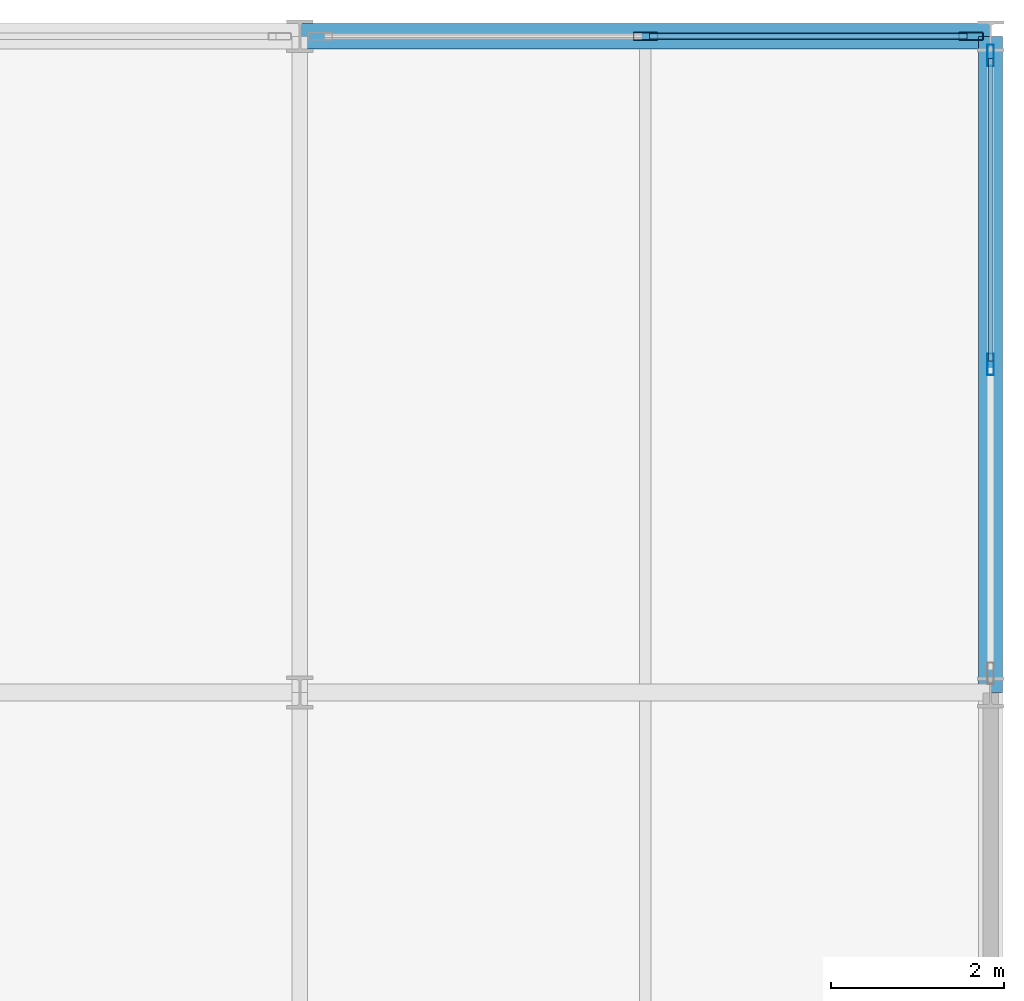
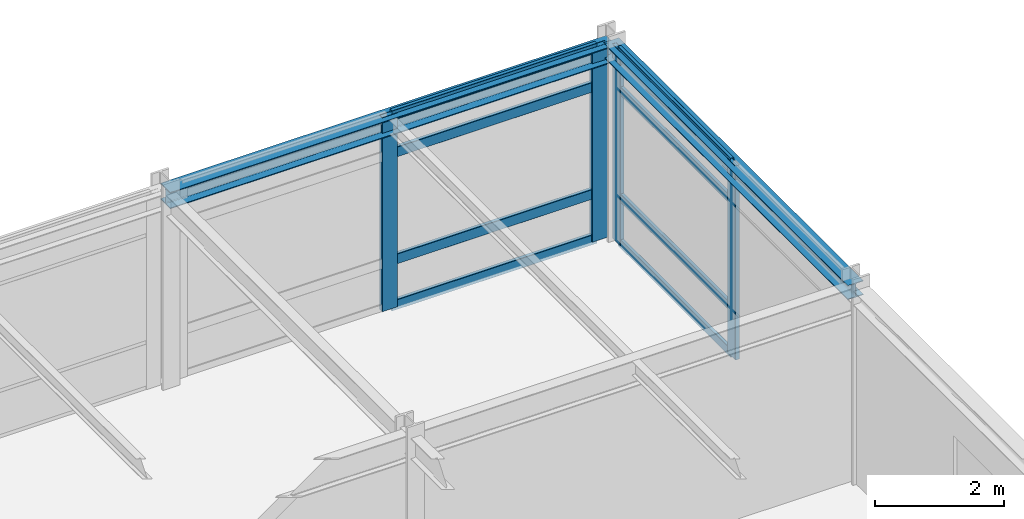
# One storey, part 11 of 16: 12 members, 2 beams, 2 elements without a shape of their own.
"""IFC4 building model written with IfcOpenShell, lengths in metres."""

from ifc_helpers import new_model, si_unit, direction, frame, origin, origin_2d, place, context, subcontext, project, spatial, hollow_rectangle, i_section, extrude, material, layer, layer_set, material_profile, profile_set, type_object, element, aggregate, save


model = new_model("IFC4")

# Units and contexts
model_context = context("Model", 3, precision=1e-05, world=origin(), true_north=direction((0.0, 1.0)))
body_context = subcontext(model_context, "Body", "Model", "MODEL_VIEW")
ifc_project = project(units=[si_unit("LENGTHUNIT", "METRE"), si_unit("AREAUNIT", "SQUARE_METRE"), si_unit("VOLUMEUNIT", "CUBIC_METRE"), si_unit("PLANEANGLEUNIT", "RADIAN"), si_unit("MASSUNIT", "GRAM", prefix="KILO")], contexts=[model_context])

# Site, building, storey
site_placement = place(None, origin())
site = spatial("IfcSite", under=ifc_project, at=site_placement, CompositionType="ELEMENT")
building_placement = place(site_placement, origin())
building = spatial("IfcBuilding", under=site, at=building_placement, Name="Shalkamar Park Central Library", CompositionType="ELEMENT")
storey_placement = place(building_placement, frame((0.0, 0.0, 43.800048828125)))
storey = spatial("IfcBuildingStorey", under=building, at=storey_placement, Name="L11", CompositionType="ELEMENT", Elevation=43.800048828125)

# Curtain wall, members
ifc_material_1 = material(Name="Thermally broken aluminium and triple low-e curtain wall", Category="aluminium")
ifc_layer_1 = layer(ifc_material_1, 0.25)
ifc_layer_set_1 = layer_set([ifc_layer_1], Name="UnitisedCurtainWall_82")
curtain_wall_type_1 = type_object("IfcCurtainWallType", Name="Unitised Curtain Wall 82", PredefinedType="USERDEFINED", material=ifc_layer_set_1)
curtain_wall_1_placement = place(storey_placement, origin())
curtain_wall_1 = element("IfcCurtainWall", 1, at=curtain_wall_1_placement, inside=storey, type_object=curtain_wall_type_1, Name="Unitised Curtain Wall CW-L11-134", ObjectType="UNITISED CURTAIN WALL", PredefinedType="USERDEFINED")
ifc_material_2 = material(Name="Aluminium 6060-T66", Category="aluminium")
ifc_material_profile_1 = material_profile(ifc_material_2, hollow_rectangle(XDim=0.074951171875, YDim=0.25, WallThickness=0.00390625, InnerFilletRadius=0.00390625, OuterFilletRadius=0.006103515625, at=origin_2d()), Name="ALU 75x250x4")
ifc_profile_set_1 = profile_set([ifc_material_profile_1], Name="Aluminium 6060-T66")
member_type_1 = type_object("IfcMemberType", Name="Curtain Wall Mullion ALU75x250", PredefinedType="MULLION", material=ifc_profile_set_1)
member_1_placement = place(storey_placement, frame((221.0, 281.800048828125, 0.0), z_axis=(0.0, 0.0, 1.0), x_axis=(-1.0, 0.0, 0.0)))
member_1 = element("IfcMember", 2, at=member_1_placement, type_object=member_type_1, Name="CW-82 mullion 2", PredefinedType="MULLION", context=body_context, shape_type="SweptSolid", body=[
    extrude(hollow_rectangle(XDim=0.074951171875, YDim=0.25, WallThickness=0.00390625, InnerFilletRadius=0.00390625, OuterFilletRadius=0.006103515625, at=origin_2d()), origin(), (0.0, 0.0, 1.0), 3.679931640625),
])
member_2_placement = place(storey_placement, frame((221.0, 285.37890625, 0.0), z_axis=(0.0, 0.0, 1.0), x_axis=(-1.0, 0.0, 0.0)))
member_2 = element("IfcMember", 3, at=member_2_placement, type_object=member_type_1, Name="CW-82 mullion 3", PredefinedType="MULLION", context=body_context, shape_type="SweptSolid", body=[
    extrude(hollow_rectangle(XDim=0.074951171875, YDim=0.25, WallThickness=0.00390625, InnerFilletRadius=0.00390625, OuterFilletRadius=0.006103515625, at=origin_2d()), origin(), (0.0, 0.0, 1.0), 3.679931640625),
])

ifc_layer_2 = layer(ifc_material_1, 0.280029296875)
ifc_layer_set_2 = layer_set([ifc_layer_2], Name="UnitisedCurtainWall_78")
curtain_wall_type_2 = type_object("IfcCurtainWallType", Name="Unitised Curtain Wall 78", PredefinedType="USERDEFINED", material=ifc_layer_set_2)
curtain_wall_2_placement = place(storey_placement, origin())
curtain_wall_2 = element("IfcCurtainWall", 4, at=curtain_wall_2_placement, inside=storey, type_object=curtain_wall_type_2, Name="Unitised Curtain Wall CW-L11-132", ObjectType="UNITISED CURTAIN WALL", PredefinedType="USERDEFINED")
ifc_material_profile_2 = material_profile(ifc_material_2, hollow_rectangle(XDim=0.090087890625, YDim=0.280029296875, WallThickness=0.0048828125, InnerFilletRadius=0.0048828125, OuterFilletRadius=0.007568359375, at=origin_2d()), Name="ALU 90x280x5")
ifc_profile_set_2 = profile_set([ifc_material_profile_2], Name="Aluminium 6060-T66")
member_type_2 = type_object("IfcMemberType", Name="Curtain Wall Mullion ALU90x280", PredefinedType="MULLION", material=ifc_profile_set_2)
member_3_placement = place(storey_placement, frame((217.00439453125, 285.60009765625, 0.0), z_axis=(0.0, 0.0, 1.0), x_axis=(0.0, 1.0, 0.0)))
member_3 = element("IfcMember", 5, at=member_3_placement, type_object=member_type_2, Name="CW-78 mullion 2", PredefinedType="MULLION", context=body_context, shape_type="SweptSolid", body=[
    extrude(hollow_rectangle(XDim=0.090087890625, YDim=0.280029296875, WallThickness=0.0048828125, InnerFilletRadius=0.0048828125, OuterFilletRadius=0.007568359375, at=origin_2d()), origin(), (0.0, 0.0, 1.0), 3.679931640625),
])
member_4_placement = place(storey_placement, frame((220.771484375, 285.60009765625, 0.0), z_axis=(0.0, 0.0, 1.0), x_axis=(0.0, 1.0, 0.0)))
member_4 = element("IfcMember", 6, at=member_4_placement, type_object=member_type_2, Name="CW-78 mullion 3", PredefinedType="MULLION", context=body_context, shape_type="SweptSolid", body=[
    extrude(hollow_rectangle(XDim=0.090087890625, YDim=0.280029296875, WallThickness=0.0048828125, InnerFilletRadius=0.0048828125, OuterFilletRadius=0.007568359375, at=origin_2d()), origin(), (0.0, 0.0, 1.0), 3.679931640625),
])

# Member
ifc_material_profile_3 = material_profile(ifc_material_2, hollow_rectangle(XDim=0.06005859375, YDim=0.159912109375, WallThickness=0.00390625, InnerFilletRadius=0.00390625, OuterFilletRadius=0.006103515625, at=origin_2d()), Name="ALU 60x160x4")
ifc_profile_set_3 = profile_set([ifc_material_profile_3], Name="Aluminium 6060-T66")
member_type_3 = type_object("IfcMemberType", Name="Curtain Wall Transom ALU60x160", PredefinedType="USERDEFINED", material=ifc_profile_set_3)
member_5_placement = place(storey_placement, frame((221.0, 281.83740234375, 0.030029296875), z_axis=(0.0, 1.0, 0.0), x_axis=(-1.0, 0.0, 0.0)))
member_5 = element("IfcMember", 7, at=member_5_placement, type_object=member_type_3, Name="CW-82 transom 2.1", ObjectType="TRANSOM", PredefinedType="USERDEFINED", context=body_context, shape_type="SweptSolid", body=[
    extrude(hollow_rectangle(XDim=0.06005859375, YDim=0.159912109375, WallThickness=0.00390625, InnerFilletRadius=0.00390625, OuterFilletRadius=0.006103515625, at=origin_2d()), origin(), (0.0, 0.0, 1.0), 3.504150390625),
])

member_6_placement = place(storey_placement, frame((221.0, 281.83740234375, 0.89990234375), z_axis=(0.0, 1.0, 0.0), x_axis=(-1.0, 0.0, 0.0)))
member_6 = element("IfcMember", 8, at=member_6_placement, type_object=member_type_3, Name="CW-82 transom 2.2", ObjectType="TRANSOM", PredefinedType="USERDEFINED", context=body_context, shape_type="SweptSolid", body=[
    extrude(hollow_rectangle(XDim=0.06005859375, YDim=0.159912109375, WallThickness=0.00390625, InnerFilletRadius=0.00390625, OuterFilletRadius=0.006103515625, at=origin_2d()), origin(), (0.0, 0.0, 1.0), 3.504150390625),
])

member_7_placement = place(storey_placement, frame((221.0, 281.83740234375, 2.929931640625), z_axis=(0.0, 1.0, 0.0), x_axis=(-1.0, 0.0, 0.0)))
member_7 = element("IfcMember", 9, at=member_7_placement, type_object=member_type_3, Name="CW-82 transom 2.3", ObjectType="TRANSOM", PredefinedType="USERDEFINED", context=body_context, shape_type="SweptSolid", body=[
    extrude(hollow_rectangle(XDim=0.06005859375, YDim=0.159912109375, WallThickness=0.00390625, InnerFilletRadius=0.00390625, OuterFilletRadius=0.006103515625, at=origin_2d()), origin(), (0.0, 0.0, 1.0), 3.504150390625),
])

member_8_placement = place(storey_placement, frame((221.0, 281.83740234375, 3.64990234375), z_axis=(0.0, 1.0, 0.0), x_axis=(-1.0, 0.0, 0.0)))
member_8 = element("IfcMember", 10, at=member_8_placement, type_object=member_type_3, Name="CW-82 transom 2.4", ObjectType="TRANSOM", PredefinedType="USERDEFINED", context=body_context, shape_type="SweptSolid", body=[
    extrude(hollow_rectangle(XDim=0.06005859375, YDim=0.159912109375, WallThickness=0.00390625, InnerFilletRadius=0.00390625, OuterFilletRadius=0.006103515625, at=origin_2d()), origin(), (0.0, 0.0, 1.0), 3.504150390625),
])

aggregate(curtain_wall_1, [member_1, member_2, member_5, member_6, member_7, member_8])

ifc_material_profile_4 = material_profile(ifc_material_2, hollow_rectangle(XDim=0.070068359375, YDim=0.18994140625, WallThickness=0.0048828125, InnerFilletRadius=0.0048828125, OuterFilletRadius=0.007568359375, at=origin_2d()), Name="ALU 70x190x5")
ifc_profile_set_4 = profile_set([ifc_material_profile_4], Name="Aluminium 6060-T66")
member_type_4 = type_object("IfcMemberType", Name="Curtain Wall Transom ALU70x190", PredefinedType="USERDEFINED", material=ifc_profile_set_4)
member_9_placement = place(storey_placement, frame((217.049560546875, 285.60009765625, 0.034912109375), z_axis=(1.0, 0.0, 0.0), x_axis=(0.0, 1.0, 0.0)))
member_9 = element("IfcMember", 11, at=member_9_placement, type_object=member_type_4, Name="CW-78 transom 2.1", ObjectType="TRANSOM", PredefinedType="USERDEFINED", context=body_context, shape_type="SweptSolid", body=[
    extrude(hollow_rectangle(XDim=0.070068359375, YDim=0.18994140625, WallThickness=0.0048828125, InnerFilletRadius=0.0048828125, OuterFilletRadius=0.007568359375, at=origin_2d()), origin(), (0.0, 0.0, 1.0), 3.677001953125),
])

member_10_placement = place(storey_placement, frame((217.049560546875, 285.60009765625, 0.89990234375), z_axis=(1.0, 0.0, 0.0), x_axis=(0.0, 1.0, 0.0)))
member_10 = element("IfcMember", 12, at=member_10_placement, type_object=member_type_4, Name="CW-78 transom 2.2", ObjectType="TRANSOM", PredefinedType="USERDEFINED", context=body_context, shape_type="SweptSolid", body=[
    extrude(hollow_rectangle(XDim=0.070068359375, YDim=0.18994140625, WallThickness=0.0048828125, InnerFilletRadius=0.0048828125, OuterFilletRadius=0.007568359375, at=origin_2d()), origin(), (0.0, 0.0, 1.0), 3.677001953125),
])

member_11_placement = place(storey_placement, frame((217.049560546875, 285.60009765625, 2.929931640625), z_axis=(1.0, 0.0, 0.0), x_axis=(0.0, 1.0, 0.0)))
member_11 = element("IfcMember", 13, at=member_11_placement, type_object=member_type_4, Name="CW-78 transom 2.3", ObjectType="TRANSOM", PredefinedType="USERDEFINED", context=body_context, shape_type="SweptSolid", body=[
    extrude(hollow_rectangle(XDim=0.070068359375, YDim=0.18994140625, WallThickness=0.0048828125, InnerFilletRadius=0.0048828125, OuterFilletRadius=0.007568359375, at=origin_2d()), origin(), (0.0, 0.0, 1.0), 3.677001953125),
])

member_12_placement = place(storey_placement, frame((217.049560546875, 285.60009765625, 3.64501953125), z_axis=(1.0, 0.0, 0.0), x_axis=(0.0, 1.0, 0.0)))
member_12 = element("IfcMember", 14, at=member_12_placement, type_object=member_type_4, Name="CW-78 transom 2.4", ObjectType="TRANSOM", PredefinedType="USERDEFINED", context=body_context, shape_type="SweptSolid", body=[
    extrude(hollow_rectangle(XDim=0.070068359375, YDim=0.18994140625, WallThickness=0.0048828125, InnerFilletRadius=0.0048828125, OuterFilletRadius=0.007568359375, at=origin_2d()), origin(), (0.0, 0.0, 1.0), 3.677001953125),
])

aggregate(curtain_wall_2, [member_3, member_4, member_9, member_10, member_11, member_12])

# Beams
ifc_material_3 = material(Name="Steel S355", Category="steel")
ifc_material_profile_5 = material_profile(ifc_material_3, i_section(OverallWidth=0.280029296875, OverallDepth=0.27001953125, WebThickness=0.008056640625, FlangeThickness=0.012939453125, FilletRadius=0.02392578125, at=origin_2d()), Name="HEA 280")
ifc_profile_set_5 = profile_set([ifc_material_profile_5], Name="Steel S355")
beam_type_1 = type_object("IfcBeamType", Name="Perimeter Spandrel Beam HEA280", PredefinedType="SPANDREL", material=ifc_profile_set_5)
beam_1_placement = place(storey_placement, frame((221.0, 278.0, 3.544921875), z_axis=(0.0, 1.0, 0.0), x_axis=(-1.0, 0.0, 0.0)))
element("IfcBeam", 15, at=beam_1_placement, inside=storey, type_object=beam_type_1, Name="Beam 14:F-G (L11)", PredefinedType="SPANDREL", context=body_context, shape_type="SweptSolid", body=[
    extrude(i_section(OverallWidth=0.280029296875, OverallDepth=0.27001953125, WebThickness=0.008056640625, FlangeThickness=0.012939453125, FilletRadius=0.02392578125, at=origin_2d()), origin(), (0.0, 0.0, 1.0), 7.60009765625),
])
ifc_material_profile_6 = material_profile(ifc_material_3, i_section(OverallWidth=0.300048828125, OverallDepth=0.31005859375, WebThickness=0.009033203125, FlangeThickness=0.015380859375, FilletRadius=0.027099609375, at=origin_2d()), Name="HEA 320")
ifc_profile_set_6 = profile_set([ifc_material_profile_6], Name="Steel S355")
beam_type_2 = type_object("IfcBeamType", Name="Perimeter Spandrel Beam HEA320", PredefinedType="SPANDREL", material=ifc_profile_set_6)
beam_2_placement = place(storey_placement, frame((213.0, 285.60009765625, 3.52490234375), z_axis=(1.0, 0.0, 0.0), x_axis=(0.0, 1.0, 0.0)))
element("IfcBeam", 16, at=beam_2_placement, inside=storey, type_object=beam_type_2, Name="Beam G:13-14 (L11)", PredefinedType="SPANDREL", context=body_context, shape_type="SweptSolid", body=[
    extrude(i_section(OverallWidth=0.300048828125, OverallDepth=0.31005859375, WebThickness=0.009033203125, FlangeThickness=0.015380859375, FilletRadius=0.027099609375, at=origin_2d()), origin(), (0.0, 0.0, 1.0), 8.0),
])

save(model, "model.ifc")
